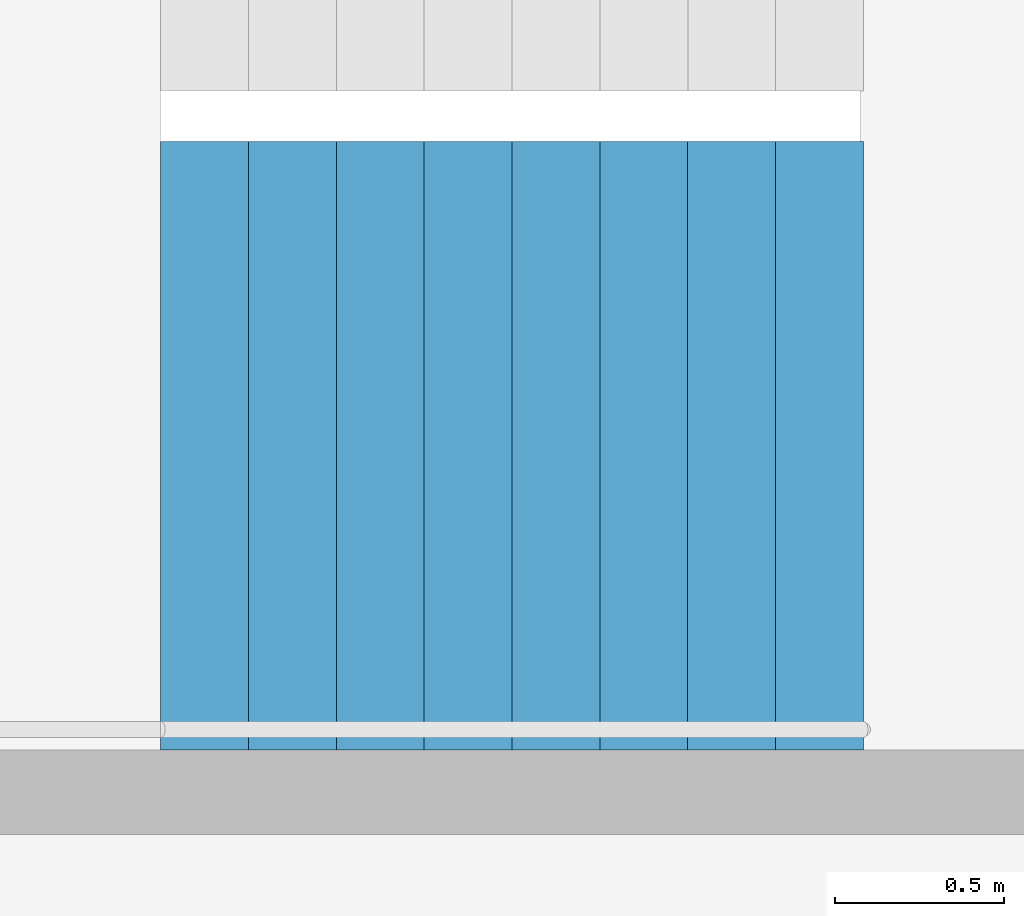
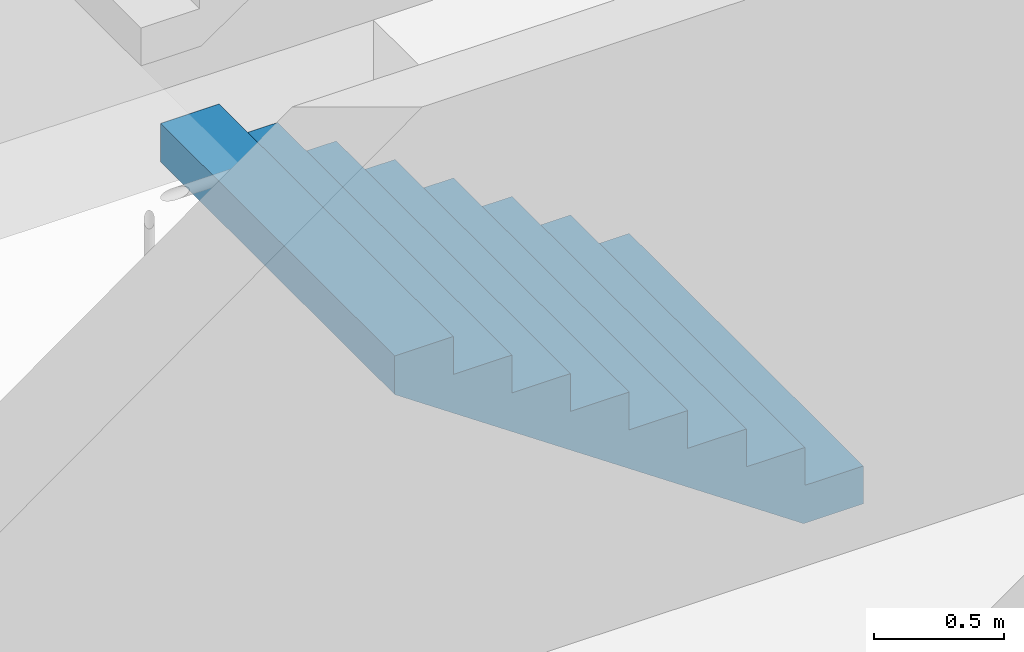
# One storey, part 23 of 29: 1 stair flight, 1 element without a shape of its own.
"""IFC4 building model written with IfcOpenShell, lengths in metres."""

from ifc_helpers import new_model, si_unit, direction, frame, origin, place, context, subcontext, project, spatial, triangles, material, type_object, element, aggregate, save


model = new_model("IFC4")

# Units and contexts
model_context = context("Model", 3, precision=1e-05, world=origin(), true_north=direction((0.0, 1.0)))
body_context = subcontext(model_context, "Body", "Model", "MODEL_VIEW")
ifc_project = project(units=[si_unit("LENGTHUNIT", "METRE"), si_unit("AREAUNIT", "SQUARE_METRE"), si_unit("VOLUMEUNIT", "CUBIC_METRE"), si_unit("PLANEANGLEUNIT", "RADIAN"), si_unit("MASSUNIT", "GRAM", prefix="KILO")], contexts=[model_context])

# Site, building, storey
site_placement = place(None, origin())
site = spatial("IfcSite", under=ifc_project, at=site_placement, CompositionType="ELEMENT")
building_placement = place(site_placement, origin())
building = spatial("IfcBuilding", under=site, at=building_placement, Name="Hakoniwa Tower and Hamabe Station Hall", CompositionType="ELEMENT")
storey_placement = place(building_placement, frame((0.0, 0.0, 258.199951171875)))
storey = spatial("IfcBuildingStorey", under=building, at=storey_placement, Name="L73", CompositionType="ELEMENT", Elevation=258.199951171875)

# Stair, stair flight
ifc_material_1 = material(Name="Concrete C40", Category="concrete")
stair_type = type_object("IfcStairType", Name="ESCAPE STAIR 1800", PredefinedType="HALF_TURN_STAIR", material=ifc_material_1)
stair_placement = place(storey_placement, origin())
stair = element("IfcStair", 1, at=stair_placement, inside=storey, type_object=stair_type, Name="Escape stair ST-3 L73", PredefinedType="HALF_TURN_STAIR")
ifc_material_2 = material(Name="Concrete C40", Category="concrete")
stair_flight_type = type_object("IfcStairFlightType", Name="STAIR FLIGHT 1800", PredefinedType="STRAIGHT", material=ifc_material_2)
stair_flight_placement = place(storey_placement, frame((24.39990234375, 4.64990234375, 0.0), z_axis=(0.0, 0.0, 1.0), x_axis=(-1.0, 0.0, 0.0)))
stair_flight = element("IfcStairFlight", 2, at=stair_flight_placement, type_object=stair_flight_type, Name="ST-3 flight 1", NumberOfRisers=9, NumberOfTreads=8, PredefinedType="STRAIGHT", RiserHeight=0.177777778, TreadLength=0.26, context=body_context, shape_type="Tessellation", body=[
    triangles([(0.0, 0.89990234375, 0.0), (0.260009765625, 0.89990234375, 0.0), (0.265625, 0.89990234375, 0.0), (0.52001953125, 0.89990234375, 0.174072265625), (0.780029296875, 0.89990234375, 0.351806640625), (1.0400390625, 0.89990234375, 0.529541015625), (1.300048828125, 0.89990234375, 0.707275390625), (1.56005859375, 0.89990234375, 0.885009765625), (1.820068359375, 0.89990234375, 1.062744140625), (2.080078125, 0.89990234375, 1.24072265625), (2.080078125, 0.89990234375, 1.422119140625), (1.820068359375, 0.89990234375, 1.422119140625), (1.820068359375, 0.89990234375, 1.244384765625), (1.56005859375, 0.89990234375, 1.244384765625), (1.56005859375, 0.89990234375, 1.066650390625), (1.300048828125, 0.89990234375, 1.066650390625), (1.300048828125, 0.89990234375, 0.888916015625), (1.0400390625, 0.89990234375, 0.888916015625), (1.0400390625, 0.89990234375, 0.711181640625), (0.780029296875, 0.89990234375, 0.711181640625), (0.780029296875, 0.89990234375, 0.533447265625), (0.52001953125, 0.89990234375, 0.533447265625), (0.52001953125, 0.89990234375, 0.35546875), (0.265625, 0.89990234375, 0.35546875), (0.260009765625, 0.89990234375, 0.35546875), (0.260009765625, 0.89990234375, 0.177734375), (0.0, 0.89990234375, 0.177734375), (0.0, 0.06005859375, 0.0), (0.260009765625, 0.06005859375, 0.0), (0.265625, 0.06005859375, 0.0), (0.52001953125, 0.06005859375, 0.174072265625), (0.780029296875, 0.06005859375, 0.351806640625), (1.0400390625, 0.06005859375, 0.529541015625), (1.300048828125, 0.06005859375, 0.707275390625), (1.56005859375, 0.06005859375, 0.885009765625), (1.820068359375, 0.06005859375, 1.062744140625), (2.080078125, 0.06005859375, 1.24072265625), (2.080078125, 0.06005859375, 1.422119140625), (1.820068359375, 0.06005859375, 1.422119140625), (1.820068359375, 0.06005859375, 1.244384765625), (1.56005859375, 0.06005859375, 1.244384765625), (1.56005859375, 0.06005859375, 1.066650390625), (1.300048828125, 0.06005859375, 1.066650390625), (1.300048828125, 0.06005859375, 0.888916015625), (1.0400390625, 0.06005859375, 0.888916015625), (1.0400390625, 0.06005859375, 0.711181640625), (0.780029296875, 0.06005859375, 0.711181640625), (0.780029296875, 0.06005859375, 0.533447265625), (0.52001953125, 0.06005859375, 0.533447265625), (0.52001953125, 0.06005859375, 0.35546875), (0.265625, 0.06005859375, 0.35546875), (0.260009765625, 0.06005859375, 0.35546875), (0.260009765625, 0.06005859375, 0.177734375), (0.0, 0.06005859375, 0.177734375), (0.0, 0.04296875, 0.0), (0.260009765625, 0.04296875, 0.0), (0.265625, 0.04296875, 0.0), (0.52001953125, 0.04296875, 0.174072265625), (0.780029296875, 0.04296875, 0.351806640625), (1.0400390625, 0.04296875, 0.529541015625), (1.300048828125, 0.04296875, 0.707275390625), (1.56005859375, 0.04296875, 0.885009765625), (1.820068359375, 0.04296875, 1.062744140625), (2.080078125, 0.04296875, 1.24072265625), (2.080078125, 0.04296875, 1.422119140625), (1.820068359375, 0.04296875, 1.422119140625), (1.820068359375, 0.04296875, 1.244384765625), (1.56005859375, 0.04296875, 1.244384765625), (1.56005859375, 0.04296875, 1.066650390625), (1.300048828125, 0.04296875, 1.066650390625), (1.300048828125, 0.04296875, 0.888916015625), (1.0400390625, 0.04296875, 0.888916015625), (1.0400390625, 0.04296875, 0.711181640625), (0.780029296875, 0.04296875, 0.711181640625), (0.780029296875, 0.04296875, 0.533447265625), (0.52001953125, 0.04296875, 0.533447265625), (0.52001953125, 0.04296875, 0.35546875), (0.265625, 0.04296875, 0.35546875), (0.260009765625, 0.04296875, 0.35546875), (0.260009765625, 0.04296875, 0.177734375), (0.0, 0.04296875, 0.177734375), (0.0, 0.025634765625, 0.0), (0.260009765625, 0.025634765625, 0.0), (0.265625, 0.025634765625, 0.0), (0.52001953125, 0.025634765625, 0.174072265625), (0.780029296875, 0.025634765625, 0.351806640625), (1.0400390625, 0.025634765625, 0.529541015625), (1.300048828125, 0.025634765625, 0.707275390625), (1.56005859375, 0.025634765625, 0.885009765625), (1.820068359375, 0.025634765625, 1.062744140625), (2.080078125, 0.025634765625, 1.24072265625), (2.080078125, 0.025634765625, 1.422119140625), (1.820068359375, 0.025634765625, 1.422119140625), (1.820068359375, 0.025634765625, 1.244384765625), (1.56005859375, 0.025634765625, 1.244384765625), (1.56005859375, 0.025634765625, 1.066650390625), (1.300048828125, 0.025634765625, 1.066650390625), (1.300048828125, 0.025634765625, 0.888916015625), (1.0400390625, 0.025634765625, 0.888916015625), (1.0400390625, 0.025634765625, 0.711181640625), (0.780029296875, 0.025634765625, 0.711181640625), (0.780029296875, 0.025634765625, 0.533447265625), (0.52001953125, 0.025634765625, 0.533447265625), (0.52001953125, 0.025634765625, 0.35546875), (0.265625, 0.025634765625, 0.35546875), (0.260009765625, 0.025634765625, 0.35546875), (0.260009765625, 0.025634765625, 0.177734375), (0.0, 0.025634765625, 0.177734375), (0.0, 0.008544921875, 0.0), (0.260009765625, 0.008544921875, 0.0), (0.265625, 0.008544921875, 0.0), (0.52001953125, 0.008544921875, 0.174072265625), (0.780029296875, 0.008544921875, 0.351806640625), (1.0400390625, 0.008544921875, 0.529541015625), (1.300048828125, 0.008544921875, 0.707275390625), (1.56005859375, 0.008544921875, 0.885009765625), (1.820068359375, 0.008544921875, 1.062744140625), (2.080078125, 0.008544921875, 1.24072265625), (2.080078125, 0.008544921875, 1.422119140625), (1.820068359375, 0.008544921875, 1.422119140625), (1.820068359375, 0.008544921875, 1.244384765625), (1.56005859375, 0.008544921875, 1.244384765625), (1.56005859375, 0.008544921875, 1.066650390625), (1.300048828125, 0.008544921875, 1.066650390625), (1.300048828125, 0.008544921875, 0.888916015625), (1.0400390625, 0.008544921875, 0.888916015625), (1.0400390625, 0.008544921875, 0.711181640625), (0.780029296875, 0.008544921875, 0.711181640625), (0.780029296875, 0.008544921875, 0.533447265625), (0.52001953125, 0.008544921875, 0.533447265625), (0.52001953125, 0.008544921875, 0.35546875), (0.265625, 0.008544921875, 0.35546875), (0.260009765625, 0.008544921875, 0.35546875), (0.260009765625, 0.008544921875, 0.177734375), (0.0, 0.008544921875, 0.177734375), (0.0, -0.008544921875, 0.0), (0.260009765625, -0.008544921875, 0.0), (0.265625, -0.008544921875, 0.0), (0.52001953125, -0.008544921875, 0.174072265625), (0.780029296875, -0.008544921875, 0.351806640625), (1.0400390625, -0.008544921875, 0.529541015625), (1.300048828125, -0.008544921875, 0.707275390625), (1.56005859375, -0.008544921875, 0.885009765625), (1.820068359375, -0.008544921875, 1.062744140625), (2.080078125, -0.008544921875, 1.24072265625), (2.080078125, -0.008544921875, 1.422119140625), (1.820068359375, -0.008544921875, 1.422119140625), (1.820068359375, -0.008544921875, 1.244384765625), (1.56005859375, -0.008544921875, 1.244384765625), (1.56005859375, -0.008544921875, 1.066650390625), (1.300048828125, -0.008544921875, 1.066650390625), (1.300048828125, -0.008544921875, 0.888916015625), (1.0400390625, -0.008544921875, 0.888916015625), (1.0400390625, -0.008544921875, 0.711181640625), (0.780029296875, -0.008544921875, 0.711181640625), (0.780029296875, -0.008544921875, 0.533447265625), (0.52001953125, -0.008544921875, 0.533447265625), (0.52001953125, -0.008544921875, 0.35546875), (0.265625, -0.008544921875, 0.35546875), (0.260009765625, -0.008544921875, 0.35546875), (0.260009765625, -0.008544921875, 0.177734375), (0.0, -0.008544921875, 0.177734375), (0.0, -0.025634765625, 0.0), (0.260009765625, -0.025634765625, 0.0), (0.265625, -0.025634765625, 0.0), (0.52001953125, -0.025634765625, 0.174072265625), (0.780029296875, -0.025634765625, 0.351806640625), (1.0400390625, -0.025634765625, 0.529541015625), (1.300048828125, -0.025634765625, 0.707275390625), (1.56005859375, -0.025634765625, 0.885009765625), (1.820068359375, -0.025634765625, 1.062744140625), (2.080078125, -0.025634765625, 1.24072265625), (2.080078125, -0.025634765625, 1.422119140625), (1.820068359375, -0.025634765625, 1.422119140625), (1.820068359375, -0.025634765625, 1.244384765625), (1.56005859375, -0.025634765625, 1.244384765625), (1.56005859375, -0.025634765625, 1.066650390625), (1.300048828125, -0.025634765625, 1.066650390625), (1.300048828125, -0.025634765625, 0.888916015625), (1.0400390625, -0.025634765625, 0.888916015625), (1.0400390625, -0.025634765625, 0.711181640625), (0.780029296875, -0.025634765625, 0.711181640625), (0.780029296875, -0.025634765625, 0.533447265625), (0.52001953125, -0.025634765625, 0.533447265625), (0.52001953125, -0.025634765625, 0.35546875), (0.265625, -0.025634765625, 0.35546875), (0.260009765625, -0.025634765625, 0.35546875), (0.260009765625, -0.025634765625, 0.177734375), (0.0, -0.025634765625, 0.177734375), (0.0, -0.04296875, 0.0), (0.260009765625, -0.04296875, 0.0), (0.265625, -0.04296875, 0.0), (0.52001953125, -0.04296875, 0.174072265625), (0.780029296875, -0.04296875, 0.351806640625), (1.0400390625, -0.04296875, 0.529541015625), (1.300048828125, -0.04296875, 0.707275390625), (1.56005859375, -0.04296875, 0.885009765625), (1.820068359375, -0.04296875, 1.062744140625), (2.080078125, -0.04296875, 1.24072265625), (2.080078125, -0.04296875, 1.422119140625), (1.820068359375, -0.04296875, 1.422119140625), (1.820068359375, -0.04296875, 1.244384765625), (1.56005859375, -0.04296875, 1.244384765625), (1.56005859375, -0.04296875, 1.066650390625), (1.300048828125, -0.04296875, 1.066650390625), (1.300048828125, -0.04296875, 0.888916015625), (1.0400390625, -0.04296875, 0.888916015625), (1.0400390625, -0.04296875, 0.711181640625), (0.780029296875, -0.04296875, 0.711181640625), (0.780029296875, -0.04296875, 0.533447265625), (0.52001953125, -0.04296875, 0.533447265625), (0.52001953125, -0.04296875, 0.35546875), (0.265625, -0.04296875, 0.35546875), (0.260009765625, -0.04296875, 0.35546875), (0.260009765625, -0.04296875, 0.177734375), (0.0, -0.04296875, 0.177734375), (0.0, -0.06005859375, 0.0), (0.260009765625, -0.06005859375, 0.0), (0.265625, -0.06005859375, 0.0), (0.52001953125, -0.06005859375, 0.174072265625), (0.780029296875, -0.06005859375, 0.351806640625), (1.0400390625, -0.06005859375, 0.529541015625), (1.300048828125, -0.06005859375, 0.707275390625), (1.56005859375, -0.06005859375, 0.885009765625), (1.820068359375, -0.06005859375, 1.062744140625), (2.080078125, -0.06005859375, 1.24072265625), (2.080078125, -0.06005859375, 1.422119140625), (1.820068359375, -0.06005859375, 1.422119140625), (1.820068359375, -0.06005859375, 1.244384765625), (1.56005859375, -0.06005859375, 1.244384765625), (1.56005859375, -0.06005859375, 1.066650390625), (1.300048828125, -0.06005859375, 1.066650390625), (1.300048828125, -0.06005859375, 0.888916015625), (1.0400390625, -0.06005859375, 0.888916015625), (1.0400390625, -0.06005859375, 0.711181640625), (0.780029296875, -0.06005859375, 0.711181640625), (0.780029296875, -0.06005859375, 0.533447265625), (0.52001953125, -0.06005859375, 0.533447265625), (0.52001953125, -0.06005859375, 0.35546875), (0.265625, -0.06005859375, 0.35546875), (0.260009765625, -0.06005859375, 0.35546875), (0.260009765625, -0.06005859375, 0.177734375), (0.0, -0.06005859375, 0.177734375), (0.0, -0.89990234375, 0.0), (0.260009765625, -0.89990234375, 0.0), (0.265625, -0.89990234375, 0.0), (0.52001953125, -0.89990234375, 0.174072265625), (0.780029296875, -0.89990234375, 0.351806640625), (1.0400390625, -0.89990234375, 0.529541015625), (1.300048828125, -0.89990234375, 0.707275390625), (1.56005859375, -0.89990234375, 0.885009765625), (1.820068359375, -0.89990234375, 1.062744140625), (2.080078125, -0.89990234375, 1.24072265625), (2.080078125, -0.89990234375, 1.422119140625), (1.820068359375, -0.89990234375, 1.422119140625), (1.820068359375, -0.89990234375, 1.244384765625), (1.56005859375, -0.89990234375, 1.244384765625), (1.56005859375, -0.89990234375, 1.066650390625), (1.300048828125, -0.89990234375, 1.066650390625), (1.300048828125, -0.89990234375, 0.888916015625), (1.0400390625, -0.89990234375, 0.888916015625), (1.0400390625, -0.89990234375, 0.711181640625), (0.780029296875, -0.89990234375, 0.711181640625), (0.780029296875, -0.89990234375, 0.533447265625), (0.52001953125, -0.89990234375, 0.533447265625), (0.52001953125, -0.89990234375, 0.35546875), (0.265625, -0.89990234375, 0.35546875), (0.260009765625, -0.89990234375, 0.35546875), (0.260009765625, -0.89990234375, 0.177734375), (0.0, -0.89990234375, 0.177734375)], [[2, 27, 26], [245, 269, 270], [2, 1, 27], [245, 270, 244], [3, 25, 24], [246, 267, 268], [3, 26, 25], [246, 268, 269], [3, 2, 26], [246, 269, 245], [4, 24, 23], [247, 266, 267], [4, 3, 24], [247, 267, 246], [5, 22, 21], [248, 264, 265], [5, 23, 22], [248, 265, 266], [5, 4, 23], [248, 266, 247], [6, 20, 19], [249, 262, 263], [6, 21, 20], [249, 263, 264], [6, 5, 21], [249, 264, 248], [7, 18, 17], [250, 260, 261], [7, 19, 18], [250, 261, 262], [7, 6, 19], [250, 262, 249], [8, 16, 15], [251, 258, 259], [8, 17, 16], [251, 259, 260], [8, 7, 17], [251, 260, 250], [9, 14, 13], [252, 256, 257], [9, 15, 14], [252, 257, 258], [9, 8, 15], [252, 258, 251], [10, 12, 11], [253, 254, 255], [10, 13, 12], [253, 255, 256], [10, 9, 13], [253, 256, 252], [1, 2, 29], [1, 29, 28], [28, 29, 56], [28, 56, 55], [55, 56, 83], [55, 83, 82], [82, 83, 110], [82, 110, 109], [109, 110, 137], [109, 137, 136], [136, 137, 164], [136, 164, 163], [163, 164, 191], [163, 191, 190], [190, 191, 218], [190, 218, 217], [217, 218, 245], [217, 245, 244], [2, 3, 30], [2, 30, 29], [29, 30, 57], [29, 57, 56], [56, 57, 84], [56, 84, 83], [83, 84, 111], [83, 111, 110], [110, 111, 138], [110, 138, 137], [137, 138, 165], [137, 165, 164], [164, 165, 192], [164, 192, 191], [191, 192, 219], [191, 219, 218], [218, 219, 246], [218, 246, 245], [3, 4, 31], [3, 31, 30], [30, 31, 58], [30, 58, 57], [57, 58, 85], [57, 85, 84], [84, 85, 112], [84, 112, 111], [111, 112, 139], [111, 139, 138], [138, 139, 166], [138, 166, 165], [165, 166, 193], [165, 193, 192], [192, 193, 220], [192, 220, 219], [219, 220, 247], [219, 247, 246], [4, 5, 32], [4, 32, 31], [31, 32, 59], [31, 59, 58], [58, 59, 86], [58, 86, 85], [85, 86, 113], [85, 113, 112], [112, 113, 140], [112, 140, 139], [139, 140, 167], [139, 167, 166], [166, 167, 194], [166, 194, 193], [193, 194, 221], [193, 221, 220], [220, 221, 248], [220, 248, 247], [5, 6, 33], [5, 33, 32], [32, 33, 60], [32, 60, 59], [59, 60, 87], [59, 87, 86], [86, 87, 114], [86, 114, 113], [113, 114, 141], [113, 141, 140], [140, 141, 168], [140, 168, 167], [167, 168, 195], [167, 195, 194], [194, 195, 222], [194, 222, 221], [221, 222, 249], [221, 249, 248], [6, 7, 34], [6, 34, 33], [33, 34, 61], [33, 61, 60], [60, 61, 88], [60, 88, 87], [87, 88, 115], [87, 115, 114], [114, 115, 142], [114, 142, 141], [141, 142, 169], [141, 169, 168], [168, 169, 196], [168, 196, 195], [195, 196, 223], [195, 223, 222], [222, 223, 250], [222, 250, 249], [7, 8, 35], [7, 35, 34], [34, 35, 62], [34, 62, 61], [61, 62, 89], [61, 89, 88], [88, 89, 116], [88, 116, 115], [115, 116, 143], [115, 143, 142], [142, 143, 170], [142, 170, 169], [169, 170, 197], [169, 197, 196], [196, 197, 224], [196, 224, 223], [223, 224, 251], [223, 251, 250], [8, 9, 36], [8, 36, 35], [35, 36, 63], [35, 63, 62], [62, 63, 90], [62, 90, 89], [89, 90, 117], [89, 117, 116], [116, 117, 144], [116, 144, 143], [143, 144, 171], [143, 171, 170], [170, 171, 198], [170, 198, 197], [197, 198, 225], [197, 225, 224], [224, 225, 252], [224, 252, 251], [9, 10, 37], [9, 37, 36], [36, 37, 64], [36, 64, 63], [63, 64, 91], [63, 91, 90], [90, 91, 118], [90, 118, 117], [117, 118, 145], [117, 145, 144], [144, 145, 172], [144, 172, 171], [171, 172, 199], [171, 199, 198], [198, 199, 226], [198, 226, 225], [225, 226, 253], [225, 253, 252], [10, 11, 38], [10, 38, 37], [37, 38, 65], [37, 65, 64], [64, 65, 92], [64, 92, 91], [91, 92, 119], [91, 119, 118], [118, 119, 146], [118, 146, 145], [145, 146, 173], [145, 173, 172], [172, 173, 200], [172, 200, 199], [199, 200, 227], [199, 227, 226], [226, 227, 254], [226, 254, 253], [11, 12, 39], [11, 39, 38], [38, 39, 66], [38, 66, 65], [65, 66, 93], [65, 93, 92], [92, 93, 120], [92, 120, 119], [119, 120, 147], [119, 147, 146], [146, 147, 174], [146, 174, 173], [173, 174, 201], [173, 201, 200], [200, 201, 228], [200, 228, 227], [227, 228, 255], [227, 255, 254], [12, 13, 40], [12, 40, 39], [39, 40, 67], [39, 67, 66], [66, 67, 94], [66, 94, 93], [93, 94, 121], [93, 121, 120], [120, 121, 148], [120, 148, 147], [147, 148, 175], [147, 175, 174], [174, 175, 202], [174, 202, 201], [201, 202, 229], [201, 229, 228], [228, 229, 256], [228, 256, 255], [13, 14, 41], [13, 41, 40], [40, 41, 68], [40, 68, 67], [67, 68, 95], [67, 95, 94], [94, 95, 122], [94, 122, 121], [121, 122, 149], [121, 149, 148], [148, 149, 176], [148, 176, 175], [175, 176, 203], [175, 203, 202], [202, 203, 230], [202, 230, 229], [229, 230, 257], [229, 257, 256], [14, 15, 42], [14, 42, 41], [41, 42, 69], [41, 69, 68], [68, 69, 96], [68, 96, 95], [95, 96, 123], [95, 123, 122], [122, 123, 150], [122, 150, 149], [149, 150, 177], [149, 177, 176], [176, 177, 204], [176, 204, 203], [203, 204, 231], [203, 231, 230], [230, 231, 258], [230, 258, 257], [15, 16, 43], [15, 43, 42], [42, 43, 70], [42, 70, 69], [69, 70, 97], [69, 97, 96], [96, 97, 124], [96, 124, 123], [123, 124, 151], [123, 151, 150], [150, 151, 178], [150, 178, 177], [177, 178, 205], [177, 205, 204], [204, 205, 232], [204, 232, 231], [231, 232, 259], [231, 259, 258], [16, 17, 44], [16, 44, 43], [43, 44, 71], [43, 71, 70], [70, 71, 98], [70, 98, 97], [97, 98, 125], [97, 125, 124], [124, 125, 152], [124, 152, 151], [151, 152, 179], [151, 179, 178], [178, 179, 206], [178, 206, 205], [205, 206, 233], [205, 233, 232], [232, 233, 260], [232, 260, 259], [17, 18, 45], [17, 45, 44], [44, 45, 72], [44, 72, 71], [71, 72, 99], [71, 99, 98], [98, 99, 126], [98, 126, 125], [125, 126, 153], [125, 153, 152], [152, 153, 180], [152, 180, 179], [179, 180, 207], [179, 207, 206], [206, 207, 234], [206, 234, 233], [233, 234, 261], [233, 261, 260], [18, 19, 46], [18, 46, 45], [45, 46, 73], [45, 73, 72], [72, 73, 100], [72, 100, 99], [99, 100, 127], [99, 127, 126], [126, 127, 154], [126, 154, 153], [153, 154, 181], [153, 181, 180], [180, 181, 208], [180, 208, 207], [207, 208, 235], [207, 235, 234], [234, 235, 262], [234, 262, 261], [19, 20, 47], [19, 47, 46], [46, 47, 74], [46, 74, 73], [73, 74, 101], [73, 101, 100], [100, 101, 128], [100, 128, 127], [127, 128, 155], [127, 155, 154], [154, 155, 182], [154, 182, 181], [181, 182, 209], [181, 209, 208], [208, 209, 236], [208, 236, 235], [235, 236, 263], [235, 263, 262], [20, 21, 48], [20, 48, 47], [47, 48, 75], [47, 75, 74], [74, 75, 102], [74, 102, 101], [101, 102, 129], [101, 129, 128], [128, 129, 156], [128, 156, 155], [155, 156, 183], [155, 183, 182], [182, 183, 210], [182, 210, 209], [209, 210, 237], [209, 237, 236], [236, 237, 264], [236, 264, 263], [21, 22, 49], [21, 49, 48], [48, 49, 76], [48, 76, 75], [75, 76, 103], [75, 103, 102], [102, 103, 130], [102, 130, 129], [129, 130, 157], [129, 157, 156], [156, 157, 184], [156, 184, 183], [183, 184, 211], [183, 211, 210], [210, 211, 238], [210, 238, 237], [237, 238, 265], [237, 265, 264], [22, 23, 50], [22, 50, 49], [49, 50, 77], [49, 77, 76], [76, 77, 104], [76, 104, 103], [103, 104, 131], [103, 131, 130], [130, 131, 158], [130, 158, 157], [157, 158, 185], [157, 185, 184], [184, 185, 212], [184, 212, 211], [211, 212, 239], [211, 239, 238], [238, 239, 266], [238, 266, 265], [23, 24, 51], [23, 51, 50], [50, 51, 78], [50, 78, 77], [77, 78, 105], [77, 105, 104], [104, 105, 132], [104, 132, 131], [131, 132, 159], [131, 159, 158], [158, 159, 186], [158, 186, 185], [185, 186, 213], [185, 213, 212], [212, 213, 240], [212, 240, 239], [239, 240, 267], [239, 267, 266], [24, 25, 52], [24, 52, 51], [51, 52, 79], [51, 79, 78], [78, 79, 106], [78, 106, 105], [105, 106, 133], [105, 133, 132], [132, 133, 160], [132, 160, 159], [159, 160, 187], [159, 187, 186], [186, 187, 214], [186, 214, 213], [213, 214, 241], [213, 241, 240], [240, 241, 268], [240, 268, 267], [25, 26, 53], [25, 53, 52], [52, 53, 80], [52, 80, 79], [79, 80, 107], [79, 107, 106], [106, 107, 134], [106, 134, 133], [133, 134, 161], [133, 161, 160], [160, 161, 188], [160, 188, 187], [187, 188, 215], [187, 215, 214], [214, 215, 242], [214, 242, 241], [241, 242, 269], [241, 269, 268], [26, 27, 54], [26, 54, 53], [53, 54, 81], [53, 81, 80], [80, 81, 108], [80, 108, 107], [107, 108, 135], [107, 135, 134], [134, 135, 162], [134, 162, 161], [161, 162, 189], [161, 189, 188], [188, 189, 216], [188, 216, 215], [215, 216, 243], [215, 243, 242], [242, 243, 270], [242, 270, 269], [27, 1, 28], [27, 28, 54], [54, 28, 55], [54, 55, 81], [81, 55, 82], [81, 82, 108], [108, 82, 109], [108, 109, 135], [135, 109, 136], [135, 136, 162], [162, 136, 163], [162, 163, 189], [189, 163, 190], [189, 190, 216], [216, 190, 217], [216, 217, 243], [243, 217, 244], [243, 244, 270]], closed=True),
])
aggregate(stair, [stair_flight])

save(model, "model.ifc")
